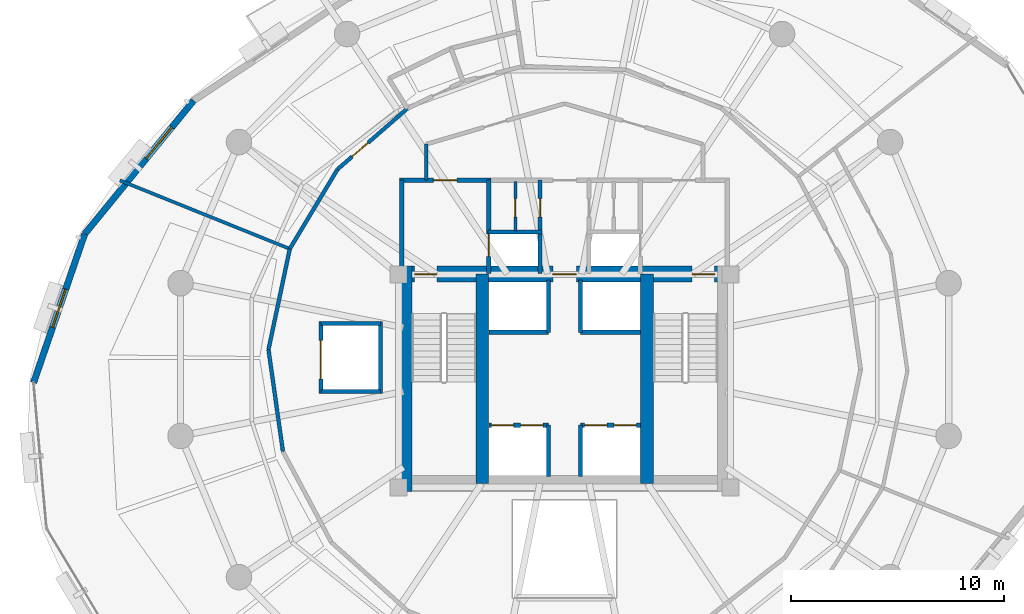
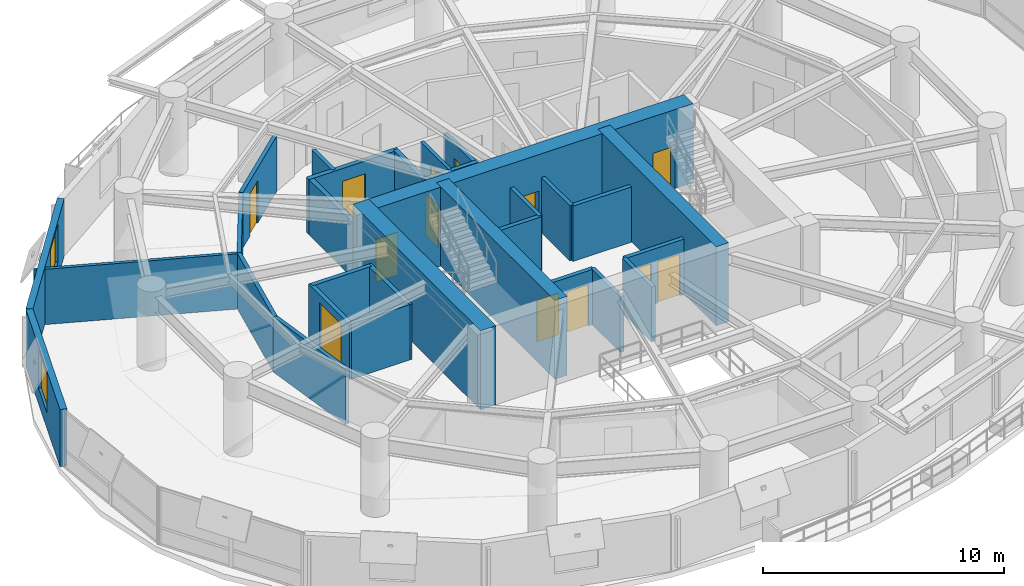
# One storey, part 10 of 15: 30 walls, 13 doors, 2 windows, 15 openings.
"""IFC4 building model written with IfcOpenShell, lengths in metres."""

from ifc_helpers import new_model, si_unit, direction, frame, frame_2d, origin, place, context, subcontext, project, spatial, rectangle, extrude, material, layer, layer_set, type_object, element, fill, save


model = new_model("IFC4")

# Units and contexts
model_context = context("Model", 3, precision=1e-05, world=origin(), true_north=direction((0.0, 1.0)))
body_context = subcontext(model_context, "Body", "Model", "MODEL_VIEW")
ifc_project = project(units=[si_unit("LENGTHUNIT", "METRE"), si_unit("AREAUNIT", "SQUARE_METRE"), si_unit("VOLUMEUNIT", "CUBIC_METRE"), si_unit("PLANEANGLEUNIT", "RADIAN"), si_unit("MASSUNIT", "GRAM", prefix="KILO"), si_unit("THERMODYNAMICTEMPERATUREUNIT", "KELVIN"), si_unit("POWERUNIT", "WATT")], contexts=[model_context])

# Site, building, storey
site_placement = place(None, origin())
site = spatial("IfcSite", under=ifc_project, at=site_placement, CompositionType="ELEMENT")
building_placement = place(site_placement, origin())
building = spatial("IfcBuilding", under=site, at=building_placement, Name="Ocrelia Relay Tower", CompositionType="ELEMENT")
storey_placement = place(building_placement, frame((0.0, 0.0, 109.800048828125)))
storey = spatial("IfcBuildingStorey", under=building, at=storey_placement, Name="L25", CompositionType="ELEMENT", Elevation=109.800048828125)

# Wall, openings, doors
ifc_material_1 = material(Name="Concrete C60/75", Category="concrete")
ifc_layer_1 = layer(ifc_material_1, 0.75, Name="Concrete C60/75")
ifc_layer_set_1 = layer_set([ifc_layer_1], Name="Concrete C60/75")
wall_type_1 = type_object("IfcWallType", Name="CW-CORE-750", PredefinedType="SHEAR", material=ifc_layer_set_1)
wall_1_placement = place(storey_placement, frame((26.072021484375, 30.012939453125, 0.0), z_axis=(0.0, 0.0, 1.0), x_axis=(1.0, 0.0, 0.0)))
wall_1 = element("IfcWall", 1, at=wall_1_placement, inside=storey, type_object=wall_type_1, Name="L25 Core Shear Wall N", PredefinedType="SHEAR", context=body_context, shape_type="SweptSolid", body=[
    extrude(rectangle(XDim=15.865966796875, YDim=0.75, at=frame_2d((7.93310546875, 0.0))), origin(), (0.0, 0.0, 1.0), 4.0),
])
opening_1_placement = place(wall_1_placement, frame((0.8779296875, 0.0, 0.0)))
opening_1 = element("IfcOpeningElement", 2, at=opening_1_placement, cuts=wall_1, Name="Opening D-FD90", PredefinedType="OPENING", context=body_context, shape_type="SweptSolid", body=[
    extrude(rectangle(XDim=1.050048828125, YDim=2.14990234375, at=frame_2d((0.52490234375, 1.074951171875))), frame((0.0, 0.385009765625, 0.0), z_axis=(0.0, -1.0, 0.0), x_axis=(1.0, 0.0, 0.0)), (0.0, 0.0, 1.0), 0.77001953125),
])
opening_2_placement = place(wall_1_placement, frame((13.927978515625, 0.0, 0.0)))
opening_2 = element("IfcOpeningElement", 3, at=opening_2_placement, cuts=wall_1, Name="Opening D-FD90", PredefinedType="OPENING", context=body_context, shape_type="SweptSolid", body=[
    extrude(rectangle(XDim=1.050048828125, YDim=2.14990234375, at=frame_2d((0.52490234375, 1.074951171875))), frame((0.0, 0.385009765625, 0.0), z_axis=(0.0, -1.0, 0.0), x_axis=(1.0, 0.0, 0.0)), (0.0, 0.0, 1.0), 0.77001953125),
])
opening_3_placement = place(wall_1_placement, frame((7.3779296875, 0.0, 0.0)))
opening_3 = element("IfcOpeningElement", 4, at=opening_3_placement, cuts=wall_1, Name="Opening D-FD60", PredefinedType="OPENING", context=body_context, shape_type="SweptSolid", body=[
    extrude(rectangle(XDim=1.10009765625, YDim=2.14990234375, at=frame_2d((0.550048828125, 1.074951171875))), frame((0.0, 0.385009765625, 0.0), z_axis=(0.0, -1.0, 0.0), x_axis=(1.0, 0.0, 0.0)), (0.0, 0.0, 1.0), 0.77001953125),
])
ifc_material_2 = material(Name="Timber-core 60-min acoustic fire door", Category="wood")
door_type_1 = type_object("IfcDoorType", Name="DR-LOBBY-FD60-1100", OperationType="NOTDEFINED", PredefinedType="DOOR", material=ifc_material_2)
door_1_placement = place(opening_3_placement, origin())
door_1 = element("IfcDoor", 5, at=door_1_placement, inside=storey, type_object=door_type_1, Name="L25 Core Lift Lobby North Fire Door", OperationType="SINGLE_SWING_LEFT", OverallHeight=2.14990234375, OverallWidth=1.10009765625, PredefinedType="DOOR", context=body_context, shape_type="SweptSolid", body=[
    extrude(rectangle(XDim=1.10009765625, YDim=2.14990234375, at=frame_2d((0.550048828125, 1.074951171875))), frame((0.0, 0.02490234375, 0.0), z_axis=(0.0, -1.0, 0.0), x_axis=(1.0, 0.0, 0.0)), (0.0, 0.0, 1.0), 0.050048828125),
])
fill(opening_3, door_1)
ifc_material_3 = material(Name="Steel S355 90-min fire door", Category="steel")
door_type_2 = type_object("IfcDoorType", Name="DR-STAIR-FD90-1050", OperationType="NOTDEFINED", PredefinedType="DOOR", material=ifc_material_3)
door_2_placement = place(opening_1_placement, origin())
door_2 = element("IfcDoor", 6, at=door_2_placement, inside=storey, type_object=door_type_2, Name="L25 Stair ST1 Fire Door", OperationType="SINGLE_SWING_LEFT", OverallHeight=2.14990234375, OverallWidth=1.050048828125, PredefinedType="DOOR", context=body_context, shape_type="SweptSolid", body=[
    extrude(rectangle(XDim=1.050048828125, YDim=2.14990234375, at=frame_2d((0.52490234375, 1.074951171875))), frame((0.0, 0.02490234375, 0.0), z_axis=(0.0, -1.0, 0.0), x_axis=(1.0, 0.0, 0.0)), (0.0, 0.0, 1.0), 0.050048828125),
])
fill(opening_1, door_2)
door_3_placement = place(opening_2_placement, origin())
door_3 = element("IfcDoor", 7, at=door_3_placement, inside=storey, type_object=door_type_2, Name="L25 Stair ST2 Fire Door", OperationType="SINGLE_SWING_RIGHT", OverallHeight=2.14990234375, OverallWidth=1.050048828125, PredefinedType="DOOR", context=body_context, shape_type="SweptSolid", body=[
    extrude(rectangle(XDim=1.050048828125, YDim=2.14990234375, at=frame_2d((0.52490234375, 1.074951171875))), frame((0.0, 0.02490234375, 0.0), z_axis=(0.0, -1.0, 0.0), x_axis=(1.0, 0.0, 0.0)), (0.0, 0.0, 1.0), 0.050048828125),
])
fill(opening_2, door_3)

# Walls
wall_2_placement = place(storey_placement, frame((26.447021484375, 19.81201171875, 0.0), z_axis=(0.0, 0.0, 1.0), x_axis=(0.0, 1.0, 0.0)))
element("IfcWall", 8, at=wall_2_placement, inside=storey, type_object=wall_type_1, Name="L25 Core Shear Wall W", PredefinedType="SHEAR", context=body_context, shape_type="SweptSolid", body=[
    extrude(rectangle(XDim=10.575927734375, YDim=0.75, at=frame_2d((5.2880859375, 0.0))), origin(), (0.0, 0.0, 1.0), 4.0),
])
for number, where, z_axis, x_axis, name in (
    (9, (30.137939453125, 20.18701171875, 0.0), (0.0, 0.0, 1.0), (0.0, 1.0, 0.0), "L25 Core Shear Wall SPW"),
    (10, (37.8720703125, 20.18701171875, 0.0), (0.0, 0.0, 1.0), (0.0, 1.0, 0.0), "L25 Core Shear Wall SPE"),
):
    element("IfcWall", number, at=place(storey_placement, frame(where, z_axis=z_axis, x_axis=x_axis)), inside=storey, type_object=wall_type_1, Name=name, PredefinedType="SHEAR", context=body_context, shape_type="SweptSolid", body=[
        extrude(rectangle(XDim=9.825927734375, YDim=0.60009765625, at=frame_2d((4.9130859375, 0.0))), origin(), (0.0, 0.0, 1.0), 4.0),
    ])
ifc_material_4 = material(Name="Gypsum Fireboard Partition EI60", Category="gypsum")
ifc_layer_2 = layer(ifc_material_4, 0.179931640625, Name="Gypsum Fireboard Partition EI60")
ifc_layer_set_2 = layer_set([ifc_layer_2], Name="Gypsum Fireboard Partition EI60")
wall_type_2 = type_object("IfcWallType", Name="W-CORR-EI60-180", PredefinedType="PARTITIONING", material=ifc_layer_set_2)
wall_3_placement = place(storey_placement, frame((27.5, 34.429931640625, 0.0), z_axis=(0.0, 0.0, 1.0), x_axis=(0.0, 1.0, 0.0)))
element("IfcWall", 11, at=wall_3_placement, inside=storey, type_object=wall_type_2, Name="L25 Smoke Lobby West Return", PredefinedType="PARTITIONING", context=body_context, shape_type="SweptSolid", body=[
    extrude(rectangle(XDim=1.69287109375, YDim=0.179931640625, at=frame_2d((0.846435546875, 0.0))), origin(), (0.0, 0.0, 1.0), 2.800048828125),
])

# Wall, opening, door
wall_4_placement = place(storey_placement, frame((26.61328125, 37.79833984375, 0.0), z_axis=(0.0, 0.0, 1.0), x_axis=(-0.754140701917, -0.656712876158, 0.0)))
wall_4 = element("IfcWall", 12, at=wall_4_placement, inside=storey, type_object=wall_type_2, Name="L25 Network Engineering Office A Corridor Partition 1", PredefinedType="PARTITIONING", context=body_context, shape_type="SweptSolid", body=[
    extrude(rectangle(XDim=4.355224609375, YDim=0.179931640625, at=frame_2d((2.177734375, 0.0))), origin(), (0.0, 0.0, 1.0), 2.800048828125),
])
opening_4_placement = place(wall_4_placement, frame((2.44140625, 0.0, 0.0)))
opening_4 = element("IfcOpeningElement", 13, at=opening_4_placement, cuts=wall_4, Name="Opening D-RM100", PredefinedType="OPENING", context=body_context, shape_type="SweptSolid", body=[
    extrude(rectangle(XDim=1.0, YDim=2.14990234375, at=frame_2d((0.5, 1.074951171875))), frame((0.0, 0.10009765625, 0.0), z_axis=(0.0, -1.0, 0.0), x_axis=(1.0, 0.0, 0.0)), (0.0, 0.0, 1.0), 0.199951171875),
])
ifc_material_5 = material(Name="Acoustic oak veneer fire door", Category="wood")
door_type_3 = type_object("IfcDoorType", Name="DR-ROOM-FD60-1000", OperationType="NOTDEFINED", PredefinedType="DOOR", material=ifc_material_5)
door_4_placement = place(opening_4_placement, origin())
door_4 = element("IfcDoor", 14, at=door_4_placement, inside=storey, type_object=door_type_3, Name="L25 Network Engineering Office A Entrance Door", OperationType="SINGLE_SWING_LEFT", OverallHeight=2.14990234375, OverallWidth=1.0, PredefinedType="DOOR", context=body_context, shape_type="SweptSolid", body=[
    extrude(rectangle(XDim=1.0, YDim=2.14990234375, at=frame_2d((0.5, 1.074951171875))), frame((0.0, 0.02490234375, 0.0), z_axis=(0.0, -1.0, 0.0), x_axis=(1.0, 0.0, 0.0)), (0.0, 0.0, 1.0), 0.050048828125),
])
fill(opening_4, door_4)

# Walls
wall_5_placement = place(storey_placement, frame((23.328857421875, 34.938232421875, 0.0), z_axis=(0.0, 0.0, 1.0), x_axis=(-0.514297881584, -0.857611618974, 0.0)))
element("IfcWall", 15, at=wall_5_placement, inside=storey, type_object=wall_type_2, Name="L25 Network Engineering Office A Corridor Partition 2", PredefinedType="PARTITIONING", context=body_context, shape_type="SweptSolid", body=[
    extrude(rectangle(XDim=4.35498046875, YDim=0.179931640625, at=frame_2d((2.177490234375, 0.0))), origin(), (0.0, 0.0, 1.0), 2.800048828125),
])
wall_6_placement = place(storey_placement, frame((21.089111328125, 31.203369140625, 0.0), z_axis=(0.0, 0.0, 1.0), x_axis=(-0.207048756704, -0.978330625273, 0.0)))
element("IfcWall", 16, at=wall_6_placement, inside=storey, type_object=wall_type_2, Name="L25 Optical Switching Hall A Corridor Partition 1", PredefinedType="PARTITIONING", context=body_context, shape_type="SweptSolid", body=[
    extrude(rectangle(XDim=4.83447265625, YDim=0.179931640625, at=frame_2d((2.417236328125, 0.0))), origin(), (0.0, 0.0, 1.0), 2.800048828125),
])
wall_7_placement = place(storey_placement, frame((20.088134765625, 26.4736328125, 0.0), z_axis=(0.0, 0.0, 1.0), x_axis=(0.140042509917, -0.990145492045, 0.0)))
element("IfcWall", 17, at=wall_7_placement, inside=storey, type_object=wall_type_2, Name="L25 Optical Switching Hall A Corridor Partition 2", PredefinedType="PARTITIONING", context=body_context, shape_type="SweptSolid", body=[
    extrude(rectangle(XDim=4.834228515625, YDim=0.179931640625, at=frame_2d((2.4169921875, 0.0))), origin(), (0.0, 0.0, 1.0), 2.800048828125),
])

# Wall, opening, window
ifc_material_6 = material(Name="Precast concrete C40/50 with oxide terracotta", Category="masonry")
ifc_layer_3 = layer(ifc_material_6, 0.300048828125, Name="Precast concrete C40/50 with oxide terracotta")
ifc_layer_set_3 = layer_set([ifc_layer_3], Name="Precast concrete C40/50 with oxide terracotta")
wall_type_3 = type_object("IfcWallType", Name="W-EXT-TERR-300", PredefinedType="SOLIDWALL", material=ifc_layer_set_3)
wall_8_placement = place(storey_placement, frame((16.570556640625, 38.172607421875, 0.0), z_axis=(0.0, 0.0, 1.0), x_axis=(-0.632472149316, -0.774583100991, 0.0)))
wall_8 = element("IfcWall", 18, at=wall_8_placement, inside=storey, type_object=wall_type_3, Name="L25 Oxide Terracotta Facade Wall 07", PredefinedType="SOLIDWALL", context=body_context, shape_type="SweptSolid", body=[
    extrude(rectangle(XDim=8.094970703125, YDim=0.300048828125, at=frame_2d((4.04736328125, 0.0))), origin(), (0.0, 0.0, 1.0), 2.89990234375),
])
opening_5_placement = place(wall_8_placement, frame((1.614990234375, 0.0, 0.800048828125)))
opening_5 = element("IfcOpeningElement", 19, at=opening_5_placement, cuts=wall_8, Name="Opening W-06", PredefinedType="OPENING", context=body_context, shape_type="SweptSolid", body=[
    extrude(rectangle(XDim=1.89990234375, YDim=1.949951171875, at=frame_2d((0.949951171875, 0.97509765625))), frame((0.0, 0.16015625, 0.0), z_axis=(0.0, -1.0, 0.0), x_axis=(1.0, 0.0, 0.0)), (0.0, 0.0, 1.0), 0.320068359375),
])
ifc_material_7 = material(Name="Clear double-glazed low-E glass", Category="glass")
window_type = type_object("IfcWindowType", Name="WIN-Z2-1900x2100", PartitioningType="DOUBLE_PANEL_VERTICAL", PredefinedType="WINDOW", material=ifc_material_7)
window_1_placement = place(opening_5_placement, origin())
window_1 = element("IfcWindow", 20, at=window_1_placement, inside=storey, type_object=window_type, Name="L25 Facade Module Window 07", OverallHeight=1.949951171875, OverallWidth=1.89990234375, PartitioningType="SINGLE_PANEL", PredefinedType="WINDOW", context=body_context, shape_type="SweptSolid", body=[
    extrude(rectangle(XDim=1.89990234375, YDim=1.949951171875, at=frame_2d((0.949951171875, 0.97509765625))), frame((0.0, 0.030029296875, 0.0), z_axis=(0.0, -1.0, 0.0), x_axis=(1.0, 0.0, 0.0)), (0.0, 0.0, 1.0), 0.06005859375),
])
fill(opening_5, window_1)

wall_9_placement = place(storey_placement, frame((11.45068359375, 31.90234375, 0.0), z_axis=(0.0, 0.0, 1.0), x_axis=(-0.325042803194, -0.945699305325, 0.0)))
wall_9 = element("IfcWall", 21, at=wall_9_placement, inside=storey, type_object=wall_type_3, Name="L25 Oxide Terracotta Facade Wall 08", PredefinedType="SOLIDWALL", context=body_context, shape_type="SweptSolid", body=[
    extrude(rectangle(XDim=7.38330078125, YDim=0.300048828125, at=frame_2d((3.691650390625, 0.0))), origin(), (0.0, 0.0, 1.0), 2.89990234375),
])
opening_6_placement = place(wall_9_placement, frame((2.741943359375, 0.0, 0.800048828125)))
opening_6 = element("IfcOpeningElement", 22, at=opening_6_placement, cuts=wall_9, Name="Opening W-06", PredefinedType="OPENING", context=body_context, shape_type="SweptSolid", body=[
    extrude(rectangle(XDim=1.89990234375, YDim=1.949951171875, at=frame_2d((0.949951171875, 0.97509765625))), frame((0.0, 0.16015625, 0.0), z_axis=(0.0, -1.0, 0.0), x_axis=(1.0, 0.0, 0.0)), (0.0, 0.0, 1.0), 0.320068359375),
])
window_2_placement = place(opening_6_placement, origin())
window_2 = element("IfcWindow", 23, at=window_2_placement, inside=storey, type_object=window_type, Name="L25 Facade Module Window 08", OverallHeight=1.949951171875, OverallWidth=1.89990234375, PartitioningType="SINGLE_PANEL", PredefinedType="WINDOW", context=body_context, shape_type="SweptSolid", body=[
    extrude(rectangle(XDim=1.89990234375, YDim=1.949951171875, at=frame_2d((0.949951171875, 0.97509765625))), frame((0.0, 0.030029296875, 0.0), z_axis=(0.0, -1.0, 0.0), x_axis=(1.0, 0.0, 0.0)), (0.0, 0.0, 1.0), 0.06005859375),
])
fill(opening_6, window_2)

# Wall
ifc_material_8 = material(Name="Concrete C50/60", Category="concrete")
ifc_layer_4 = layer(ifc_material_8, 0.219970703125, Name="Concrete C50/60")
ifc_layer_set_4 = layer_set([ifc_layer_4], Name="Concrete C50/60")
wall_type_4 = type_object("IfcWallType", Name="W-FFL-EI120-220", PredefinedType="SOLIDWALL", material=ifc_layer_set_4)
wall_10_placement = place(storey_placement, frame((26.35009765625, 30.050048828125, 0.0), z_axis=(0.0, 0.0, 1.0), x_axis=(0.0, 1.0, 0.0)))
element("IfcWall", 24, at=wall_10_placement, inside=storey, type_object=wall_type_4, Name="L25 W Fire Service Lift Lobby West Wall", PredefinedType="SOLIDWALL", context=body_context, shape_type="SweptSolid", body=[
    extrude(rectangle(XDim=4.3798828125, YDim=0.219970703125, at=frame_2d((2.18994140625, 0.0))), origin(), (0.0, 0.0, 1.0), 2.800048828125),
])

# Wall, opening, door
wall_11_placement = place(storey_placement, frame((30.43994140625, 30.050048828125, 0.0), z_axis=(0.0, 0.0, 1.0), x_axis=(0.0, 1.0, 0.0)))
wall_11 = element("IfcWall", 25, at=wall_11_placement, inside=storey, type_object=wall_type_4, Name="L25 W Fire Service Lift Lobby East Wall", PredefinedType="SOLIDWALL", context=body_context, shape_type="SweptSolid", body=[
    extrude(rectangle(XDim=4.3798828125, YDim=0.219970703125, at=frame_2d((2.18994140625, 0.0))), origin(), (0.0, 0.0, 1.0), 2.800048828125),
])
opening_7_placement = place(wall_11_placement, frame((0.800048828125, 0.0, 0.0)))
opening_7 = element("IfcOpeningElement", 26, at=opening_7_placement, cuts=wall_11, Name="Opening LD-FFL1", PredefinedType="OPENING", context=body_context, shape_type="SweptSolid", body=[
    extrude(rectangle(XDim=1.050048828125, YDim=2.10009765625, at=frame_2d((0.52490234375, 1.050048828125))), frame((0.0, 0.1201171875, 0.0), z_axis=(0.0, -1.0, 0.0), x_axis=(1.0, 0.0, 0.0)), (0.0, 0.0, 1.0), 0.239990234375),
])
ifc_material_9 = material(Name="Brushed stainless steel S355 lift landing door", Category="steel")
door_type_4 = type_object("IfcDoorType", Name="DR-LIFT-LAND-1050", OperationType="DOUBLE_DOOR_SLIDING", PredefinedType="USERDEFINED", material=ifc_material_9)
door_5_placement = place(opening_7_placement, origin())
door_5 = element("IfcDoor", 27, at=door_5_placement, inside=storey, type_object=door_type_4, Name="L25 Firefighting Lift FFL1 Sliding Landing Door", ObjectType="LANDING DOOR", OperationType="DOUBLE_DOOR_SLIDING", OverallHeight=2.10009765625, OverallWidth=1.050048828125, PredefinedType="USERDEFINED", context=body_context, shape_type="SweptSolid", body=[
    extrude(rectangle(XDim=1.050048828125, YDim=2.10009765625, at=frame_2d((0.52490234375, 1.050048828125))), frame((0.0, 0.02490234375, 0.0), z_axis=(0.0, -1.0, 0.0), x_axis=(1.0, 0.0, 0.0)), (0.0, 0.0, 1.0), 0.050048828125),
])
fill(opening_7, door_5)

wall_12_placement = place(storey_placement, frame((26.239990234375, 34.429931640625, 0.0), z_axis=(0.0, 0.0, 1.0), x_axis=(1.0, 0.0, 0.0)))
wall_12 = element("IfcWall", 28, at=wall_12_placement, inside=storey, type_object=wall_type_4, Name="L25 W Fire Service Lift Lobby North Wall", PredefinedType="SOLIDWALL", context=body_context, shape_type="SweptSolid", body=[
    extrude(rectangle(XDim=4.31005859375, YDim=0.219970703125, at=frame_2d((2.155029296875, 0.0))), origin(), (0.0, 0.0, 1.0), 2.800048828125),
])
opening_8_placement = place(wall_12_placement, frame((1.60009765625, 0.0, 0.0)))
opening_8 = element("IfcOpeningElement", 29, at=opening_8_placement, cuts=wall_12, Name="Opening D-FD60", PredefinedType="OPENING", context=body_context, shape_type="SweptSolid", body=[
    extrude(rectangle(XDim=1.10009765625, YDim=2.14990234375, at=frame_2d((0.550048828125, 1.074951171875))), frame((0.0, 0.1201171875, 0.0), z_axis=(0.0, -1.0, 0.0), x_axis=(1.0, 0.0, 0.0)), (0.0, 0.0, 1.0), 0.239990234375),
])
door_6_placement = place(opening_8_placement, origin())
door_6 = element("IfcDoor", 30, at=door_6_placement, inside=storey, type_object=door_type_1, Name="L25 W Fire Service Lift Lobby Exit Door", OperationType="SINGLE_SWING_RIGHT", OverallHeight=2.14990234375, OverallWidth=1.10009765625, PredefinedType="DOOR", context=body_context, shape_type="SweptSolid", body=[
    extrude(rectangle(XDim=1.10009765625, YDim=2.14990234375, at=frame_2d((0.550048828125, 1.074951171875))), frame((0.0, 0.02490234375, 0.0), z_axis=(0.0, -1.0, 0.0), x_axis=(1.0, 0.0, 0.0)), (0.0, 0.0, 1.0), 0.050048828125),
])
fill(opening_8, door_6)

ifc_material_10 = material(Name="Acoustic Fireboard Partition EI60", Category="gypsum")
ifc_layer_5 = layer(ifc_material_10, 0.14990234375, Name="Acoustic Fireboard Partition EI60")
ifc_layer_set_5 = layer_set([ifc_layer_5], Name="Acoustic Fireboard Partition EI60")
wall_type_5 = type_object("IfcWallType", Name="W-PART-150", PredefinedType="PARTITIONING", material=ifc_layer_set_5)
wall_13_placement = place(storey_placement, frame((31.68994140625, 32.050048828125, 0.0), z_axis=(0.0, 0.0, 1.0), x_axis=(0.0, 1.0, 0.0)))
wall_13 = element("IfcWall", 31, at=wall_13_placement, inside=storey, type_object=wall_type_5, Name="L25 West Core Support Partition", PredefinedType="PARTITIONING", context=body_context, shape_type="SweptSolid", body=[
    extrude(rectangle(XDim=2.329833984375, YDim=0.14990234375, at=frame_2d((1.1650390625, 0.0))), origin(), (0.0, 0.0, 1.0), 2.800048828125),
])
opening_9_placement = place(wall_13_placement, frame((0.64990234375, 0.0, 0.0)))
opening_9 = element("IfcOpeningElement", 32, at=opening_9_placement, cuts=wall_13, Name="Opening D-RS86", PredefinedType="OPENING", context=body_context, shape_type="SweptSolid", body=[
    extrude(rectangle(XDim=0.860107421875, YDim=2.050048828125, at=frame_2d((0.43017578125, 1.02490234375))), frame((0.0, 0.0849609375, 0.0), z_axis=(0.0, -1.0, 0.0), x_axis=(1.0, 0.0, 0.0)), (0.0, 0.0, 1.0), 0.169921875),
])
ifc_material_11 = material(Name="Steel S355 riser access fire door", Category="steel")
door_type_5 = type_object("IfcDoorType", Name="DR-RISER-TRAP-860", OperationType="NOTDEFINED", PredefinedType="TRAPDOOR", material=ifc_material_11)
door_7_placement = place(opening_9_placement, origin())
door_7 = element("IfcDoor", 33, at=door_7_placement, inside=storey, type_object=door_type_5, Name="L25 West Core Store Connecting Door", OperationType="SINGLE_SWING_LEFT", OverallHeight=2.050048828125, OverallWidth=0.860107421875, PredefinedType="TRAPDOOR", context=body_context, shape_type="SweptSolid", body=[
    extrude(rectangle(XDim=0.860107421875, YDim=2.050048828125, at=frame_2d((0.43017578125, 1.02490234375))), frame((0.0, 0.02490234375, 0.0), z_axis=(0.0, -1.0, 0.0), x_axis=(1.0, 0.0, 0.0)), (0.0, 0.0, 1.0), 0.050048828125),
])
fill(opening_9, door_7)

# Walls
wall_14_placement = place(storey_placement, frame((21.089111328125, 31.203369140625, 0.0), z_axis=(0.0, 0.0, 1.0), x_axis=(-0.927518747525, 0.373776635156, 0.0)))
element("IfcWall", 34, at=wall_14_placement, inside=storey, type_object=wall_type_5, Name="L25 Network Engineering Office A Radial Partition", PredefinedType="PARTITIONING", context=body_context, shape_type="SweptSolid", body=[
    extrude(rectangle(XDim=8.60498046875, YDim=0.14990234375, at=frame_2d((4.302490234375, 0.0))), origin(), (0.0, 0.0, 1.0), 2.800048828125),
])
ifc_layer_6 = layer(ifc_material_8, 0.199951171875, Name="Concrete C50/60")
ifc_layer_set_6 = layer_set([ifc_layer_6], Name="Concrete C50/60")
wall_type_6 = type_object("IfcWallType", Name="W-SHAFT-EI120-200", PredefinedType="SOLIDWALL", material=ifc_layer_set_6)
wall_15_placement = place(storey_placement, frame((30.39990234375, 32.0, 0.0), z_axis=(0.0, 0.0, 1.0), x_axis=(1.0, 0.0, 0.0)))
element("IfcWall", 35, at=wall_15_placement, inside=storey, type_object=wall_type_6, Name="L25 FFL1 Hoistway North Wall", PredefinedType="SOLIDWALL", context=body_context, shape_type="SweptSolid", body=[
    extrude(rectangle(XDim=2.550048828125, YDim=0.199951171875, at=frame_2d((1.27490234375, 0.0))), origin(), (0.0, 0.0, 1.0), 2.800048828125),
])

# Wall, opening, door
wall_16_placement = place(storey_placement, frame((32.85009765625, 30.050048828125, 0.0), z_axis=(0.0, 0.0, 1.0), x_axis=(0.0, 1.0, 0.0)))
wall_16 = element("IfcWall", 36, at=wall_16_placement, inside=storey, type_object=wall_type_6, Name="L25 FFL1 and Service Vestibule Wall", PredefinedType="SOLIDWALL", context=body_context, shape_type="SweptSolid", body=[
    extrude(rectangle(XDim=4.3798828125, YDim=0.199951171875, at=frame_2d((2.18994140625, 0.0))), origin(), (0.0, 0.0, 1.0), 2.800048828125),
])
opening_10_placement = place(wall_16_placement, frame((2.64990234375, 0.0, 0.0)))
opening_10 = element("IfcOpeningElement", 37, at=opening_10_placement, cuts=wall_16, Name="Opening D-RS86", PredefinedType="OPENING", context=body_context, shape_type="SweptSolid", body=[
    extrude(rectangle(XDim=0.860107421875, YDim=2.050048828125, at=frame_2d((0.43017578125, 1.02490234375))), frame((0.0, 0.10986328125, 0.0), z_axis=(0.0, -1.0, 0.0), x_axis=(1.0, 0.0, 0.0)), (0.0, 0.0, 1.0), 0.219970703125),
])
door_8_placement = place(opening_10_placement, origin())
door_8 = element("IfcDoor", 38, at=door_8_placement, inside=storey, type_object=door_type_5, Name="L25 Core Support Room W Door", OperationType="SINGLE_SWING_LEFT", OverallHeight=2.050048828125, OverallWidth=0.860107421875, PredefinedType="TRAPDOOR", context=body_context, shape_type="SweptSolid", body=[
    extrude(rectangle(XDim=0.860107421875, YDim=2.050048828125, at=frame_2d((0.43017578125, 1.02490234375))), frame((0.0, 0.02490234375, 0.0), z_axis=(0.0, -1.0, 0.0), x_axis=(1.0, 0.0, 0.0)), (0.0, 0.0, 1.0), 0.050048828125),
])
fill(opening_10, door_8)

# Wall, openings, doors
wall_17_placement = place(storey_placement, frame((30.43994140625, 22.919921875, 0.0), z_axis=(0.0, 0.0, 1.0), x_axis=(1.0, 0.0, 0.0)))
wall_17 = element("IfcWall", 39, at=wall_17_placement, inside=storey, type_object=wall_type_6, Name="L25 Low-Rise Lift Hoistway Wall W", PredefinedType="SOLIDWALL", context=body_context, shape_type="SweptSolid", body=[
    extrude(rectangle(XDim=2.81005859375, YDim=0.199951171875, at=frame_2d((1.405029296875, 0.0))), origin(), (0.0, 0.0, 1.0), 2.800048828125),
])
opening_11_placement = place(wall_17_placement, frame((0.1201171875, 0.0, 0.0)))
opening_11 = element("IfcOpeningElement", 40, at=opening_11_placement, cuts=wall_17, Name="Opening LD-PL1", PredefinedType="OPENING", context=body_context, shape_type="SweptSolid", body=[
    extrude(rectangle(XDim=1.050048828125, YDim=2.10009765625, at=frame_2d((0.52490234375, 1.050048828125))), frame((0.0, 0.10986328125, 0.0), z_axis=(0.0, -1.0, 0.0), x_axis=(1.0, 0.0, 0.0)), (0.0, 0.0, 1.0), 0.219970703125),
])
opening_12_placement = place(wall_17_placement, frame((1.5, 0.0, 0.0)))
opening_12 = element("IfcOpeningElement", 41, at=opening_12_placement, cuts=wall_17, Name="Opening LD-PL2", PredefinedType="OPENING", context=body_context, shape_type="SweptSolid", body=[
    extrude(rectangle(XDim=1.050048828125, YDim=2.10009765625, at=frame_2d((0.52490234375, 1.050048828125))), frame((0.0, 0.10986328125, 0.0), z_axis=(0.0, -1.0, 0.0), x_axis=(1.0, 0.0, 0.0)), (0.0, 0.0, 1.0), 0.219970703125),
])
door_9_placement = place(opening_11_placement, origin())
door_9 = element("IfcDoor", 42, at=door_9_placement, inside=storey, type_object=door_type_4, Name="L25 Passenger Lift PL1 Sliding Landing Door", ObjectType="LANDING DOOR", OperationType="DOUBLE_DOOR_SLIDING", OverallHeight=2.10009765625, OverallWidth=1.050048828125, PredefinedType="USERDEFINED", context=body_context, shape_type="SweptSolid", body=[
    extrude(rectangle(XDim=1.050048828125, YDim=2.10009765625, at=frame_2d((0.52490234375, 1.050048828125))), frame((0.0, 0.02490234375, 0.0), z_axis=(0.0, -1.0, 0.0), x_axis=(1.0, 0.0, 0.0)), (0.0, 0.0, 1.0), 0.050048828125),
])
fill(opening_11, door_9)
door_10_placement = place(opening_12_placement, origin())
door_10 = element("IfcDoor", 43, at=door_10_placement, inside=storey, type_object=door_type_4, Name="L25 Passenger Lift PL2 Sliding Landing Door", ObjectType="LANDING DOOR", OperationType="DOUBLE_DOOR_SLIDING", OverallHeight=2.10009765625, OverallWidth=1.050048828125, PredefinedType="USERDEFINED", context=body_context, shape_type="SweptSolid", body=[
    extrude(rectangle(XDim=1.050048828125, YDim=2.10009765625, at=frame_2d((0.52490234375, 1.050048828125))), frame((0.0, 0.02490234375, 0.0), z_axis=(0.0, -1.0, 0.0), x_axis=(1.0, 0.0, 0.0)), (0.0, 0.0, 1.0), 0.050048828125),
])
fill(opening_12, door_10)

# Wall
wall_18_placement = place(storey_placement, frame((33.25, 20.5, 0.0), z_axis=(0.0, 0.0, 1.0), x_axis=(0.0, 1.0, 0.0)))
element("IfcWall", 44, at=wall_18_placement, inside=storey, type_object=wall_type_6, Name="L25 Low-Rise Lift Throat Wall W", PredefinedType="SOLIDWALL", context=body_context, shape_type="SweptSolid", body=[
    extrude(rectangle(XDim=2.419921875, YDim=0.179931640625, at=frame_2d((1.2099609375, 0.0))), origin(), (0.0, 0.0, 1.0), 2.800048828125),
])

# Wall, openings, doors
wall_19_placement = place(storey_placement, frame((34.75, 22.919921875, 0.0), z_axis=(0.0, 0.0, 1.0), x_axis=(1.0, 0.0, 0.0)))
wall_19 = element("IfcWall", 45, at=wall_19_placement, inside=storey, type_object=wall_type_6, Name="L25 Low-Rise Lift Hoistway Wall E", PredefinedType="SOLIDWALL", context=body_context, shape_type="SweptSolid", body=[
    extrude(rectangle(XDim=2.81005859375, YDim=0.199951171875, at=frame_2d((1.405029296875, 0.0))), origin(), (0.0, 0.0, 1.0), 2.800048828125),
])
opening_13_placement = place(wall_19_placement, frame((0.18994140625, 0.0, 0.0)))
opening_13 = element("IfcOpeningElement", 46, at=opening_13_placement, cuts=wall_19, Name="Opening LD-PL3", PredefinedType="OPENING", context=body_context, shape_type="SweptSolid", body=[
    extrude(rectangle(XDim=1.050048828125, YDim=2.10009765625, at=frame_2d((0.52490234375, 1.050048828125))), frame((0.0, 0.10986328125, 0.0), z_axis=(0.0, -1.0, 0.0), x_axis=(1.0, 0.0, 0.0)), (0.0, 0.0, 1.0), 0.219970703125),
])
opening_14_placement = place(wall_19_placement, frame((1.570068359375, 0.0, 0.0)))
opening_14 = element("IfcOpeningElement", 47, at=opening_14_placement, cuts=wall_19, Name="Opening LD-PL4", PredefinedType="OPENING", context=body_context, shape_type="SweptSolid", body=[
    extrude(rectangle(XDim=1.050048828125, YDim=2.10009765625, at=frame_2d((0.52490234375, 1.050048828125))), frame((0.0, 0.10986328125, 0.0), z_axis=(0.0, -1.0, 0.0), x_axis=(1.0, 0.0, 0.0)), (0.0, 0.0, 1.0), 0.219970703125),
])
door_11_placement = place(opening_13_placement, origin())
door_11 = element("IfcDoor", 48, at=door_11_placement, inside=storey, type_object=door_type_4, Name="L25 Passenger Lift PL3 Sliding Landing Door", ObjectType="LANDING DOOR", OperationType="DOUBLE_DOOR_SLIDING", OverallHeight=2.10009765625, OverallWidth=1.050048828125, PredefinedType="USERDEFINED", context=body_context, shape_type="SweptSolid", body=[
    extrude(rectangle(XDim=1.050048828125, YDim=2.10009765625, at=frame_2d((0.52490234375, 1.050048828125))), frame((0.0, 0.02490234375, 0.0), z_axis=(0.0, -1.0, 0.0), x_axis=(1.0, 0.0, 0.0)), (0.0, 0.0, 1.0), 0.050048828125),
])
fill(opening_13, door_11)
door_12_placement = place(opening_14_placement, origin())
door_12 = element("IfcDoor", 49, at=door_12_placement, inside=storey, type_object=door_type_4, Name="L25 Passenger Lift PL4 Sliding Landing Door", ObjectType="LANDING DOOR", OperationType="DOUBLE_DOOR_SLIDING", OverallHeight=2.10009765625, OverallWidth=1.050048828125, PredefinedType="USERDEFINED", context=body_context, shape_type="SweptSolid", body=[
    extrude(rectangle(XDim=1.050048828125, YDim=2.10009765625, at=frame_2d((0.52490234375, 1.050048828125))), frame((0.0, 0.02490234375, 0.0), z_axis=(0.0, -1.0, 0.0), x_axis=(1.0, 0.0, 0.0)), (0.0, 0.0, 1.0), 0.050048828125),
])
fill(opening_14, door_12)

# Walls
wall_20_placement = place(storey_placement, frame((34.75, 20.5, 0.0), z_axis=(0.0, 0.0, 1.0), x_axis=(0.0, 1.0, 0.0)))
element("IfcWall", 50, at=wall_20_placement, inside=storey, type_object=wall_type_6, Name="L25 Low-Rise Lift Throat Wall E", PredefinedType="SOLIDWALL", context=body_context, shape_type="SweptSolid", body=[
    extrude(rectangle(XDim=2.419921875, YDim=0.179931640625, at=frame_2d((1.2099609375, 0.0))), origin(), (0.0, 0.0, 1.0), 2.800048828125),
])
wall_21_placement = place(storey_placement, frame((30.43994140625, 27.280029296875, 0.0), z_axis=(0.0, 0.0, 1.0), x_axis=(1.0, 0.0, 0.0)))
element("IfcWall", 51, at=wall_21_placement, inside=storey, type_object=wall_type_6, Name="L25 High-Rise Lift Hoistway Wall W", PredefinedType="SOLIDWALL", context=body_context, shape_type="SweptSolid", body=[
    extrude(rectangle(XDim=2.81005859375, YDim=0.199951171875, at=frame_2d((1.405029296875, 0.0))), origin(), (0.0, 0.0, 1.0), 2.800048828125),
])
wall_22_placement = place(storey_placement, frame((33.25, 27.280029296875, 0.0), z_axis=(0.0, 0.0, 1.0), x_axis=(0.0, 1.0, 0.0)))
element("IfcWall", 52, at=wall_22_placement, inside=storey, type_object=wall_type_6, Name="L25 High-Rise Lift Throat Wall W", PredefinedType="SOLIDWALL", context=body_context, shape_type="SweptSolid", body=[
    extrude(rectangle(XDim=2.469970703125, YDim=0.179931640625, at=frame_2d((1.23486328125, 0.0))), origin(), (0.0, 0.0, 1.0), 2.800048828125),
])
wall_23_placement = place(storey_placement, frame((34.75, 27.280029296875, 0.0), z_axis=(0.0, 0.0, 1.0), x_axis=(1.0, 0.0, 0.0)))
element("IfcWall", 53, at=wall_23_placement, inside=storey, type_object=wall_type_6, Name="L25 High-Rise Lift Hoistway Wall E", PredefinedType="SOLIDWALL", context=body_context, shape_type="SweptSolid", body=[
    extrude(rectangle(XDim=2.81005859375, YDim=0.199951171875, at=frame_2d((1.405029296875, 0.0))), origin(), (0.0, 0.0, 1.0), 2.800048828125),
])
wall_24_placement = place(storey_placement, frame((34.75, 27.280029296875, 0.0), z_axis=(0.0, 0.0, 1.0), x_axis=(0.0, 1.0, 0.0)))
element("IfcWall", 54, at=wall_24_placement, inside=storey, type_object=wall_type_6, Name="L25 High-Rise Lift Throat Wall E", PredefinedType="SOLIDWALL", context=body_context, shape_type="SweptSolid", body=[
    extrude(rectangle(XDim=2.469970703125, YDim=0.179931640625, at=frame_2d((1.23486328125, 0.0))), origin(), (0.0, 0.0, 1.0), 2.800048828125),
])

# Wall, opening, door
wall_25_placement = place(storey_placement, frame((22.550048828125, 24.39990234375, 0.0), z_axis=(0.0, 0.0, 1.0), x_axis=(0.0, 1.0, 0.0)))
wall_25 = element("IfcWall", 55, at=wall_25_placement, inside=storey, type_object=wall_type_6, Name="L25 Goods Lift Shaft West Wall", PredefinedType="SOLIDWALL", context=body_context, shape_type="SweptSolid", body=[
    extrude(rectangle(XDim=3.400146484375, YDim=0.199951171875, at=frame_2d((1.7001953125, 0.0))), origin(), (0.0, 0.0, 1.0), 2.800048828125),
])
opening_15_placement = place(wall_25_placement, frame((0.699951171875, 0.0, 0.0)))
opening_15 = element("IfcOpeningElement", 56, at=opening_15_placement, cuts=wall_25, Name="Opening LD-GL1", PredefinedType="OPENING", context=body_context, shape_type="SweptSolid", body=[
    extrude(rectangle(XDim=1.800048828125, YDim=2.39990234375, at=frame_2d((0.89990234375, 1.199951171875))), frame((0.0, 0.10986328125, 0.0), z_axis=(0.0, -1.0, 0.0), x_axis=(1.0, 0.0, 0.0)), (0.0, 0.0, 1.0), 0.219970703125),
])
ifc_material_12 = material(Name="Heavy-duty stainless steel S355 goods landing door", Category="steel")
door_type_6 = type_object("IfcDoorType", Name="DR-GOODS-LAND-1800", OperationType="DOUBLE_DOOR_SLIDING", PredefinedType="USERDEFINED", material=ifc_material_12)
door_13_placement = place(opening_15_placement, origin())
door_13 = element("IfcDoor", 57, at=door_13_placement, inside=storey, type_object=door_type_6, Name="L25 Goods Lift GL1 Sliding Landing Door", ObjectType="LANDING DOOR", OperationType="DOUBLE_DOOR_SLIDING", OverallHeight=2.39990234375, OverallWidth=1.800048828125, PredefinedType="USERDEFINED", context=body_context, shape_type="SweptSolid", body=[
    extrude(rectangle(XDim=1.800048828125, YDim=2.39990234375, at=frame_2d((0.89990234375, 1.199951171875))), frame((0.0, 0.02490234375, 0.0), z_axis=(0.0, -1.0, 0.0), x_axis=(1.0, 0.0, 0.0)), (0.0, 0.0, 1.0), 0.050048828125),
])
fill(opening_15, door_13)

# Walls
wall_26_placement = place(storey_placement, frame((25.35009765625, 24.39990234375, 0.0), z_axis=(0.0, 0.0, 1.0), x_axis=(0.0, 1.0, 0.0)))
element("IfcWall", 58, at=wall_26_placement, inside=storey, type_object=wall_type_6, Name="L25 Goods Lift Shaft E Wall", PredefinedType="SOLIDWALL", context=body_context, shape_type="SweptSolid", body=[
    extrude(rectangle(XDim=3.400146484375, YDim=0.199951171875, at=frame_2d((1.7001953125, 0.0))), origin(), (0.0, 0.0, 1.0), 2.800048828125),
])
for number, where, z_axis, x_axis, name in (
    (59, (22.550048828125, 24.5, 0.0), (0.0, 0.0, 1.0), (1.0, 0.0, 0.0), "L25 Goods Lift Shaft S Wall"),
    (60, (22.550048828125, 27.699951171875, 0.0), (0.0, 0.0, 1.0), (1.0, 0.0, 0.0), "L25 Goods Lift Shaft N Wall"),
):
    element("IfcWall", number, at=place(storey_placement, frame(where, z_axis=z_axis, x_axis=x_axis)), inside=storey, type_object=wall_type_6, Name=name, PredefinedType="SOLIDWALL", context=body_context, shape_type="SweptSolid", body=[
        extrude(rectangle(XDim=2.800048828125, YDim=0.199951171875, at=frame_2d((1.39990234375, 0.0))), origin(), (0.0, 0.0, 1.0), 2.800048828125),
    ])

save(model, "model.ifc")
